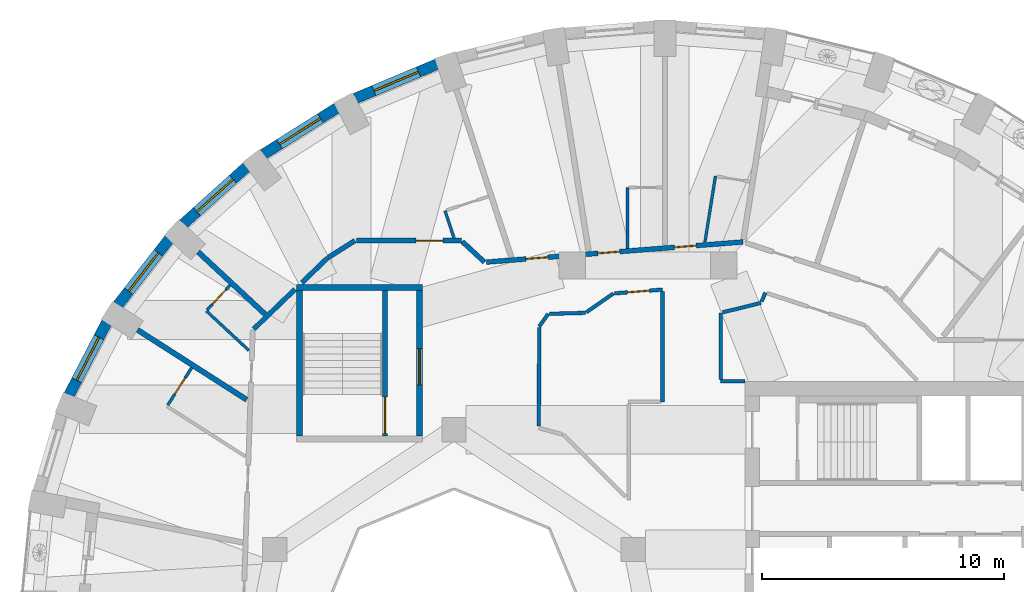
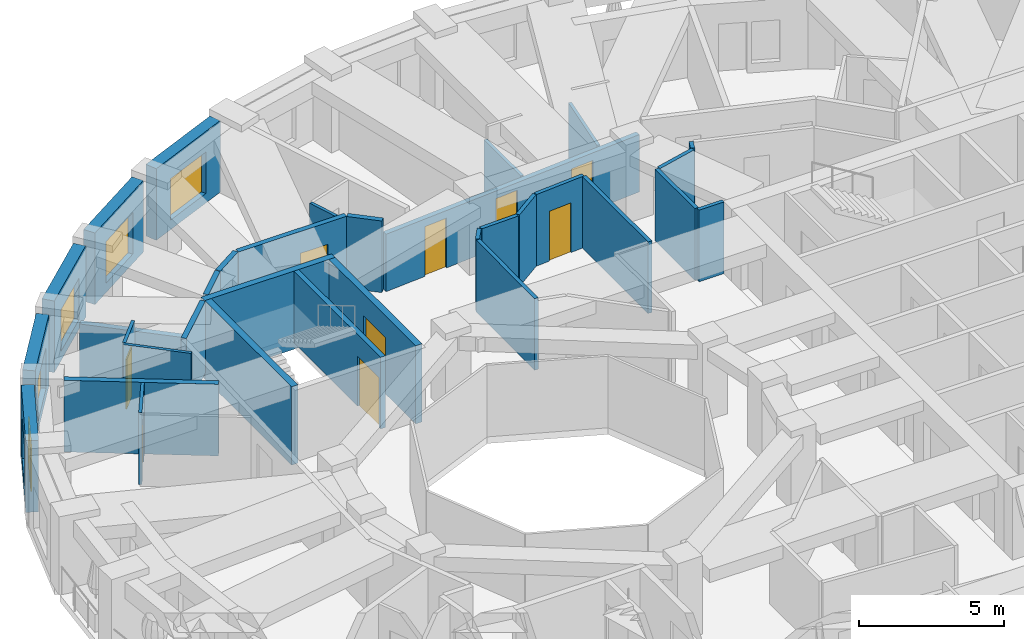
# One storey, part 7 of 12: 33 walls, 9 doors, 5 windows, 14 openings.
"""IFC4 building model written with IfcOpenShell, lengths in metres."""

from ifc_helpers import new_model, si_unit, direction, frame, frame_2d, origin, place, context, subcontext, project, spatial, rectangle, extrude, material, layer, layer_set, type_object, element, fill, save


model = new_model("IFC4")

# Units and contexts
model_context = context("Model", 3, precision=1e-05, world=origin(), true_north=direction((0.0, 1.0)))
body_context = subcontext(model_context, "Body", "Model", "MODEL_VIEW")
ifc_project = project(units=[si_unit("LENGTHUNIT", "METRE"), si_unit("AREAUNIT", "SQUARE_METRE"), si_unit("VOLUMEUNIT", "CUBIC_METRE"), si_unit("PLANEANGLEUNIT", "RADIAN"), si_unit("MASSUNIT", "GRAM", prefix="KILO")], contexts=[model_context])

# Site, building, storey
site_placement = place(None, origin())
site = spatial("IfcSite", under=ifc_project, at=site_placement, CompositionType="ELEMENT")
building_placement = place(site_placement, origin())
building = spatial("IfcBuilding", under=site, at=building_placement, Name="Taillehof Tower", CompositionType="ELEMENT")
storey_placement = place(building_placement, frame((0.0, 0.0, 195.800048828125)))
storey = spatial("IfcBuildingStorey", under=building, at=storey_placement, Name="L55", CompositionType="ELEMENT", Elevation=195.800048828125)

# Wall, opening, window
ifc_material_1 = material(Name="Brick masonry", Category="masonry")
ifc_layer_1 = layer(ifc_material_1, 0.449951171875)
ifc_layer_set_1 = layer_set([ifc_layer_1], Name="Brick infill wall 450")
wall_type_1 = type_object("IfcWallType", Name="Brick infill wall 450", PredefinedType="SOLIDWALL", material=ifc_layer_set_1)
wall_1_placement = place(storey_placement, frame((-8.70263671875, 23.0791015625, 0.0), z_axis=(0.0, 0.0, 1.0), x_axis=(-0.922168222612, -0.386789050006, 0.0)))
wall_1 = element("IfcWall", 1, at=wall_1_placement, inside=storey, type_object=wall_type_1, Name="Brick wall L55 bay 12", PredefinedType="SOLIDWALL", context=body_context, shape_type="SweptSolid", body=[
    extrude(rectangle(XDim=3.65087890625, YDim=0.449951171875, at=frame_2d((1.825439453125, 0.0))), origin(), (0.0, 0.0, 1.0), 3.02001953125),
])
opening_1_placement = place(wall_1_placement, frame((0.825439453125, 0.0, 0.39990234375)))
opening_1 = element("IfcOpeningElement", 2, at=opening_1_placement, cuts=wall_1, Name="Opening W2", PredefinedType="OPENING", context=body_context, shape_type="SweptSolid", body=[
    extrude(rectangle(XDim=2.0, YDim=1.75, at=frame_2d((1.0, 0.875))), frame((0.0, 0.23486328125, 0.0), z_axis=(0.0, -1.0, 0.0), x_axis=(1.0, 0.0, 0.0)), (0.0, 0.0, 1.0), 0.469970703125),
])
ifc_material_2 = material(Name="Aluminium window frame with clear double glazing", Category="aluminium")
window_type = type_object("IfcWindowType", Name="Deep-set window 2000x1750", PartitioningType="SINGLE_PANEL", PredefinedType="WINDOW", material=ifc_material_2)
window_1_placement = place(opening_1_placement, origin())
window_1 = element("IfcWindow", 3, at=window_1_placement, inside=storey, type_object=window_type, Name="W2", OverallHeight=1.75, OverallWidth=2.0, PartitioningType="SINGLE_PANEL", PredefinedType="WINDOW", context=body_context, shape_type="SweptSolid", body=[
    extrude(rectangle(XDim=2.0, YDim=1.75, at=frame_2d((1.0, 0.875))), frame((0.0, 0.034912109375, 0.0), z_axis=(0.0, -1.0, 0.0), x_axis=(1.0, 0.0, 0.0)), (0.0, 0.0, 1.0), 0.06005859375),
])
fill(opening_1, window_1)

wall_2_placement = place(storey_placement, frame((-12.832275390625, 21.27001953125, 0.0), z_axis=(0.0, 0.0, 1.0), x_axis=(-0.846138482752, -0.532963101918, 0.0)))
wall_2 = element("IfcWall", 4, at=wall_2_placement, inside=storey, type_object=wall_type_1, Name="Brick wall L55 bay 13", PredefinedType="SOLIDWALL", context=body_context, shape_type="SweptSolid", body=[
    extrude(rectangle(XDim=3.586669921875, YDim=0.449951171875, at=frame_2d((1.79345703125, 0.0))), origin(), (0.0, 0.0, 1.0), 3.02001953125),
])
opening_2_placement = place(wall_2_placement, frame((0.79345703125, 0.0, 0.39990234375)))
opening_2 = element("IfcOpeningElement", 5, at=opening_2_placement, cuts=wall_2, Name="Opening W2", PredefinedType="OPENING", context=body_context, shape_type="SweptSolid", body=[
    extrude(rectangle(XDim=2.0, YDim=1.75, at=frame_2d((1.0, 0.875))), frame((0.0, 0.23486328125, 0.0), z_axis=(0.0, -1.0, 0.0), x_axis=(1.0, 0.0, 0.0)), (0.0, 0.0, 1.0), 0.469970703125),
])
window_2_placement = place(opening_2_placement, origin())
window_2 = element("IfcWindow", 6, at=window_2_placement, inside=storey, type_object=window_type, Name="W2", OverallHeight=1.75, OverallWidth=2.0, PartitioningType="SINGLE_PANEL", PredefinedType="WINDOW", context=body_context, shape_type="SweptSolid", body=[
    extrude(rectangle(XDim=2.0, YDim=1.75, at=frame_2d((1.0, 0.875))), frame((0.0, 0.034912109375, 0.0), z_axis=(0.0, -1.0, 0.0), x_axis=(1.0, 0.0, 0.0)), (0.0, 0.0, 1.0), 0.06005859375),
])
fill(opening_2, window_2)

wall_3_placement = place(storey_placement, frame((-16.553466796875, 18.83984375, 0.0), z_axis=(0.0, 0.0, 1.0), x_axis=(-0.743442727602, -0.668799604348, 0.0)))
wall_3 = element("IfcWall", 7, at=wall_3_placement, inside=storey, type_object=wall_type_1, Name="Brick wall L55 bay 14", PredefinedType="SOLIDWALL", context=body_context, shape_type="SweptSolid", body=[
    extrude(rectangle(XDim=3.5126953125, YDim=0.449951171875, at=frame_2d((1.75634765625, 0.0))), origin(), (0.0, 0.0, 1.0), 3.02001953125),
])
opening_3_placement = place(wall_3_placement, frame((0.75634765625, 0.0, 0.39990234375)))
opening_3 = element("IfcOpeningElement", 8, at=opening_3_placement, cuts=wall_3, Name="Opening W2", PredefinedType="OPENING", context=body_context, shape_type="SweptSolid", body=[
    extrude(rectangle(XDim=2.0, YDim=1.75, at=frame_2d((1.0, 0.875))), frame((0.0, 0.23486328125, 0.0), z_axis=(0.0, -1.0, 0.0), x_axis=(1.0, 0.0, 0.0)), (0.0, 0.0, 1.0), 0.469970703125),
])
window_3_placement = place(opening_3_placement, origin())
window_3 = element("IfcWindow", 9, at=window_3_placement, inside=storey, type_object=window_type, Name="W2", OverallHeight=1.75, OverallWidth=2.0, PartitioningType="SINGLE_PANEL", PredefinedType="WINDOW", context=body_context, shape_type="SweptSolid", body=[
    extrude(rectangle(XDim=2.0, YDim=1.75, at=frame_2d((1.0, 0.875))), frame((0.0, 0.034912109375, 0.0), z_axis=(0.0, -1.0, 0.0), x_axis=(1.0, 0.0, 0.0)), (0.0, 0.0, 1.0), 0.06005859375),
])
fill(opening_3, window_3)

wall_4_placement = place(storey_placement, frame((-19.751220703125, 15.861083984375, 0.0), z_axis=(0.0, 0.0, 1.0), x_axis=(-0.614220816451, -0.789134201919, 0.0)))
wall_4 = element("IfcWall", 10, at=wall_4_placement, inside=storey, type_object=wall_type_1, Name="Brick wall L55 bay 15", PredefinedType="SOLIDWALL", context=body_context, shape_type="SweptSolid", body=[
    extrude(rectangle(XDim=3.437744140625, YDim=0.449951171875, at=frame_2d((1.71875, 0.0))), origin(), (0.0, 0.0, 1.0), 3.02001953125),
])
opening_4_placement = place(wall_4_placement, frame((0.71875, 0.0, 0.39990234375)))
opening_4 = element("IfcOpeningElement", 11, at=opening_4_placement, cuts=wall_4, Name="Opening W2", PredefinedType="OPENING", context=body_context, shape_type="SweptSolid", body=[
    extrude(rectangle(XDim=2.0, YDim=1.75, at=frame_2d((1.0, 0.875))), frame((0.0, 0.23486328125, 0.0), z_axis=(0.0, -1.0, 0.0), x_axis=(1.0, 0.0, 0.0)), (0.0, 0.0, 1.0), 0.469970703125),
])
window_4_placement = place(opening_4_placement, origin())
window_4 = element("IfcWindow", 12, at=window_4_placement, inside=storey, type_object=window_type, Name="W2", OverallHeight=1.75, OverallWidth=2.0, PartitioningType="SINGLE_PANEL", PredefinedType="WINDOW", context=body_context, shape_type="SweptSolid", body=[
    extrude(rectangle(XDim=2.0, YDim=1.75, at=frame_2d((1.0, 0.875))), frame((0.0, 0.034912109375, 0.0), z_axis=(0.0, -1.0, 0.0), x_axis=(1.0, 0.0, 0.0)), (0.0, 0.0, 1.0), 0.06005859375),
])
fill(opening_4, window_4)

wall_5_placement = place(storey_placement, frame((-22.326904296875, 12.424072265625, 0.0), z_axis=(0.0, 0.0, 1.0), x_axis=(-0.460232593174, -0.887798378113, 0.0)))
wall_5 = element("IfcWall", 13, at=wall_5_placement, inside=storey, type_object=wall_type_1, Name="Brick wall L55 bay 16", PredefinedType="SOLIDWALL", context=body_context, shape_type="SweptSolid", body=[
    extrude(rectangle(XDim=3.37060546875, YDim=0.449951171875, at=frame_2d((1.685302734375, 0.0))), origin(), (0.0, 0.0, 1.0), 3.02001953125),
])
opening_5_placement = place(wall_5_placement, frame((0.685302734375, 0.0, 0.39990234375)))
opening_5 = element("IfcOpeningElement", 14, at=opening_5_placement, cuts=wall_5, Name="Opening W2", PredefinedType="OPENING", context=body_context, shape_type="SweptSolid", body=[
    extrude(rectangle(XDim=2.0, YDim=1.75, at=frame_2d((1.0, 0.875))), frame((0.0, 0.23486328125, 0.0), z_axis=(0.0, -1.0, 0.0), x_axis=(1.0, 0.0, 0.0)), (0.0, 0.0, 1.0), 0.469970703125),
])
window_5_placement = place(opening_5_placement, origin())
window_5 = element("IfcWindow", 15, at=window_5_placement, inside=storey, type_object=window_type, Name="W2", OverallHeight=1.75, OverallWidth=2.0, PartitioningType="SINGLE_PANEL", PredefinedType="WINDOW", context=body_context, shape_type="SweptSolid", body=[
    extrude(rectangle(XDim=2.0, YDim=1.75, at=frame_2d((1.0, 0.875))), frame((0.0, 0.034912109375, 0.0), z_axis=(0.0, -1.0, 0.0), x_axis=(1.0, 0.0, 0.0)), (0.0, 0.0, 1.0), 0.06005859375),
])
fill(opening_5, window_5)

# Walls
ifc_material_3 = material(Name="Gypsum board on steel studs, two layers each side", Category="steel")
ifc_layer_2 = layer(ifc_material_3, 0.199951171875)
ifc_layer_set_2 = layer_set([ifc_layer_2], Name="Compartment wall corridor 200")
wall_type_2 = type_object("IfcWallType", Name="Compartment wall corridor 200", PredefinedType="PARTITIONING", material=ifc_layer_set_2)
wall_6_placement = place(storey_placement, frame((-16.2568359375, 12.15673828125, 0.0), z_axis=(0.0, 0.0, 1.0), x_axis=(0.720356671174, 0.693603825174, 0.0)))
element("IfcWall", 16, at=wall_6_placement, inside=storey, type_object=wall_type_2, Name="Compartment wall", PredefinedType="PARTITIONING", context=body_context, shape_type="SweptSolid", body=[
    extrude(rectangle(XDim=2.3544921875, YDim=0.199951171875, at=frame_2d((1.17724609375, 0.0))), origin(), (0.0, 0.0, 1.0), 3.02001953125),
])
wall_7_placement = place(storey_placement, frame((-14.27783203125, 14.062255859375, 0.0), z_axis=(0.0, 0.0, 1.0), x_axis=(0.720213092954, 0.693752910435, 0.0)))
element("IfcWall", 17, at=wall_7_placement, inside=storey, type_object=wall_type_2, Name="Compartment wall", PredefinedType="PARTITIONING", context=body_context, shape_type="SweptSolid", body=[
    extrude(rectangle(XDim=1.476318359375, YDim=0.199951171875, at=frame_2d((0.73828125, 0.0))), origin(), (0.0, 0.0, 1.0), 3.02001953125),
])
wall_8_placement = place(storey_placement, frame((-13.19775390625, 15.09716796875, 0.0), z_axis=(0.0, 0.0, 1.0), x_axis=(0.845466863805, 0.534027885234, 0.0)))
element("IfcWall", 18, at=wall_8_placement, inside=storey, type_object=wall_type_2, Name="Compartment wall", PredefinedType="PARTITIONING", context=body_context, shape_type="SweptSolid", body=[
    extrude(rectangle(XDim=1.316162109375, YDim=0.199951171875, at=frame_2d((0.658203125, 0.0))), origin(), (0.0, 0.0, 1.0), 3.02001953125),
])

# Wall, opening, door
wall_9_placement = place(storey_placement, frame((-12.02490234375, 15.800048828125, 0.0), z_axis=(0.0, 0.0, 1.0), x_axis=(1.0, 0.0, 0.0)))
wall_9 = element("IfcWall", 19, at=wall_9_placement, inside=storey, type_object=wall_type_2, Name="Compartment wall", PredefinedType="PARTITIONING", context=body_context, shape_type="SweptSolid", body=[
    extrude(rectangle(XDim=4.324951171875, YDim=0.199951171875, at=frame_2d((2.16259765625, 0.0))), origin(), (0.0, 0.0, 1.0), 3.02001953125),
])
opening_6_placement = place(wall_9_placement, frame((2.46142578125, 0.0, 0.0)))
opening_6 = element("IfcOpeningElement", 20, at=opening_6_placement, cuts=wall_9, Name="Opening D5548", PredefinedType="OPENING", context=body_context, shape_type="SweptSolid", body=[
    extrude(rectangle(XDim=1.10009765625, YDim=2.10009765625, at=frame_2d((0.550048828125, 1.050048828125))), frame((0.0, 0.10986328125, 0.0), z_axis=(0.0, -1.0, 0.0), x_axis=(1.0, 0.0, 0.0)), (0.0, 0.0, 1.0), 0.219970703125),
])
ifc_material_4 = material(Name="Timber door leaf in steel frame", Category="steel")
door_type_1 = type_object("IfcDoorType", Name="Suite entrance door EI 30 1100 x 2100", OperationType="SINGLE_SWING_LEFT", PredefinedType="DOOR", material=ifc_material_4)
door_1_placement = place(opening_6_placement, origin())
door_1 = element("IfcDoor", 21, at=door_1_placement, inside=storey, type_object=door_type_1, Name="D5548", OperationType="SINGLE_SWING_RIGHT", OverallHeight=2.10009765625, OverallWidth=1.10009765625, PredefinedType="DOOR", context=body_context, shape_type="SweptSolid", body=[
    extrude(rectangle(XDim=1.10009765625, YDim=2.10009765625, at=frame_2d((0.550048828125, 1.050048828125))), frame((0.0, 0.02490234375, 0.0), z_axis=(0.0, -1.0, 0.0), x_axis=(1.0, 0.0, 0.0)), (0.0, 0.0, 1.0), 0.050048828125),
])
fill(opening_6, door_1)

# Wall
wall_10_placement = place(storey_placement, frame((-7.656005859375, 15.759033203125, 0.0), z_axis=(0.0, 0.0, 1.0), x_axis=(0.734444455547, -0.678668801196, 0.0)))
element("IfcWall", 22, at=wall_10_placement, inside=storey, type_object=wall_type_2, Name="Compartment wall", PredefinedType="PARTITIONING", context=body_context, shape_type="SweptSolid", body=[
    extrude(rectangle(XDim=1.251953125, YDim=0.199951171875, at=frame_2d((0.6259765625, 0.0))), origin(), (0.0, 0.0, 1.0), 3.02001953125),
])

# Wall, openings, doors
wall_11_placement = place(storey_placement, frame((-6.656494140625, 14.915283203125, 0.0), z_axis=(0.0, 0.0, 1.0), x_axis=(0.99693112817, 0.07828362335, 0.0)))
wall_11 = element("IfcWall", 23, at=wall_11_placement, inside=storey, type_object=wall_type_2, Name="Compartment wall", PredefinedType="PARTITIONING", context=body_context, shape_type="SweptSolid", body=[
    extrude(rectangle(XDim=10.609619140625, YDim=0.199951171875, at=frame_2d((5.3046875, 0.0))), origin(), (0.0, 0.0, 1.0), 2.419921875),
])
opening_7_placement = place(wall_11_placement, frame((7.773193359375, 0.0, 0.0)))
opening_7 = element("IfcOpeningElement", 24, at=opening_7_placement, cuts=wall_11, Name="Opening D5543", PredefinedType="OPENING", context=body_context, shape_type="SweptSolid", body=[
    extrude(rectangle(XDim=0.89990234375, YDim=2.10009765625, at=frame_2d((0.449951171875, 1.050048828125))), frame((0.0, 0.10986328125, 0.0), z_axis=(0.0, -1.0, 0.0), x_axis=(1.0, 0.0, 0.0)), (0.0, 0.0, 1.0), 0.219970703125),
])
opening_8_placement = place(wall_11_placement, frame((4.607666015625, 0.0, 0.0)))
opening_8 = element("IfcOpeningElement", 25, at=opening_8_placement, cuts=wall_11, Name="Opening D5545", PredefinedType="OPENING", context=body_context, shape_type="SweptSolid", body=[
    extrude(rectangle(XDim=0.89990234375, YDim=2.10009765625, at=frame_2d((0.449951171875, 1.050048828125))), frame((0.0, 0.10986328125, 0.0), z_axis=(0.0, -1.0, 0.0), x_axis=(1.0, 0.0, 0.0)), (0.0, 0.0, 1.0), 0.219970703125),
])
opening_9_placement = place(wall_11_placement, frame((1.6318359375, 0.0, 0.0)))
opening_9 = element("IfcOpeningElement", 26, at=opening_9_placement, cuts=wall_11, Name="Opening D5547", PredefinedType="OPENING", context=body_context, shape_type="SweptSolid", body=[
    extrude(rectangle(XDim=0.89990234375, YDim=2.10009765625, at=frame_2d((0.449951171875, 1.050048828125))), frame((0.0, 0.10986328125, 0.0), z_axis=(0.0, -1.0, 0.0), x_axis=(1.0, 0.0, 0.0)), (0.0, 0.0, 1.0), 0.219970703125),
])
ifc_material_5 = material(Name="Timber door leaf in steel frame", Category="steel")
door_type_2 = type_object("IfcDoorType", Name="Guest room door EI 30 900 x 2100", OperationType="SINGLE_SWING_LEFT", PredefinedType="DOOR", material=ifc_material_5)
door_2_placement = place(opening_7_placement, origin())
door_2 = element("IfcDoor", 27, at=door_2_placement, inside=storey, type_object=door_type_2, Name="D5543", OperationType="SINGLE_SWING_RIGHT", OverallHeight=2.10009765625, OverallWidth=0.89990234375, PredefinedType="DOOR", context=body_context, shape_type="SweptSolid", body=[
    extrude(rectangle(XDim=0.89990234375, YDim=2.10009765625, at=frame_2d((0.449951171875, 1.050048828125))), frame((0.0, 0.02490234375, 0.0), z_axis=(0.0, -1.0, 0.0), x_axis=(1.0, 0.0, 0.0)), (0.0, 0.0, 1.0), 0.050048828125),
])
fill(opening_7, door_2)
door_3_placement = place(opening_8_placement, origin())
door_3 = element("IfcDoor", 28, at=door_3_placement, inside=storey, type_object=door_type_2, Name="D5545", OperationType="SINGLE_SWING_RIGHT", OverallHeight=2.10009765625, OverallWidth=0.89990234375, PredefinedType="DOOR", context=body_context, shape_type="SweptSolid", body=[
    extrude(rectangle(XDim=0.89990234375, YDim=2.10009765625, at=frame_2d((0.449951171875, 1.050048828125))), frame((0.0, 0.02490234375, 0.0), z_axis=(0.0, -1.0, 0.0), x_axis=(1.0, 0.0, 0.0)), (0.0, 0.0, 1.0), 0.050048828125),
])
fill(opening_8, door_3)
ifc_material_6 = material(Name="Timber door leaf in steel frame", Category="steel")
door_type_3 = type_object("IfcDoorType", Name="Service room door EI 30 900 x 2100", OperationType="SINGLE_SWING_LEFT", PredefinedType="DOOR", material=ifc_material_6)
door_4_placement = place(opening_9_placement, origin())
door_4 = element("IfcDoor", 29, at=door_4_placement, inside=storey, type_object=door_type_3, Name="D5547", OperationType="SINGLE_SWING_LEFT", OverallHeight=2.10009765625, OverallWidth=0.89990234375, PredefinedType="DOOR", context=body_context, shape_type="SweptSolid", body=[
    extrude(rectangle(XDim=0.89990234375, YDim=2.10009765625, at=frame_2d((0.449951171875, 1.050048828125))), frame((0.0, 0.02490234375, 0.0), z_axis=(0.0, -1.0, 0.0), x_axis=(1.0, 0.0, 0.0)), (0.0, 0.0, 1.0), 0.050048828125),
])
fill(opening_9, door_4)

# Walls
ifc_material_7 = material(Name="Gypsum board on double steel studs with mineral wool", Category="steel")
ifc_layer_3 = layer(ifc_material_7, 0.219970703125)
ifc_layer_set_3 = layer_set([ifc_layer_3], Name="Compartment wall guest room 220")
wall_type_3 = type_object("IfcWallType", Name="Compartment wall guest room 220", PredefinedType="PARTITIONING", material=ifc_layer_set_3)
wall_12_placement = place(storey_placement, frame((-18.552978515625, 15.333984375, 0.0), z_axis=(0.0, 0.0, 1.0), x_axis=(0.732303975018, -0.680977891105, 0.0)))
element("IfcWall", 30, at=wall_12_placement, inside=storey, type_object=wall_type_3, Name="Compartment wall", PredefinedType="PARTITIONING", context=body_context, shape_type="SweptSolid", body=[
    extrude(rectangle(XDim=3.767333984375, YDim=0.219970703125, at=frame_2d((1.8837890625, 0.0))), origin(), (0.0, 0.0, 1.0), 2.570068359375),
])
wall_13_placement = place(storey_placement, frame((-21.054931640625, 12.120849609375, 0.0), z_axis=(0.0, 0.0, 1.0), x_axis=(0.842281345898, -0.539038156675, 0.0)))
element("IfcWall", 31, at=wall_13_placement, inside=storey, type_object=wall_type_3, Name="Compartment wall", PredefinedType="PARTITIONING", context=body_context, shape_type="SweptSolid", body=[
    extrude(rectangle(XDim=5.349853515625, YDim=0.219970703125, at=frame_2d((2.6748046875, 0.0))), origin(), (0.0, 0.0, 1.0), 3.02001953125),
])
ifc_material_8 = material(Name="Gypsum board on steel studs, two layers each side", Category="steel")
ifc_layer_4 = layer(ifc_material_8, 0.14990234375)
ifc_layer_set_4 = layer_set([ifc_layer_4], Name="Compartment wall service room 150")
wall_type_4 = type_object("IfcWallType", Name="Compartment wall service room 150", PredefinedType="PARTITIONING", material=ifc_layer_set_4)
wall_14_placement = place(storey_placement, frame((4.0009765625, 10.0, 0.0), z_axis=(0.0, 0.0, 1.0), x_axis=(-1.0, 0.0, 0.0)))
element("IfcWall", 32, at=wall_14_placement, inside=storey, type_object=wall_type_4, Name="Compartment wall", PredefinedType="PARTITIONING", context=body_context, shape_type="SweptSolid", body=[
    extrude(rectangle(XDim=1.0009765625, YDim=0.14990234375, at=frame_2d((0.50048828125, 0.0))), origin(), (0.0, 0.0, 1.0), 3.02001953125),
])
wall_15_placement = place(storey_placement, frame((3.0, 10.080078125, 0.0), z_axis=(0.0, 0.0, 1.0), x_axis=(0.0, 1.0, 0.0)))
element("IfcWall", 33, at=wall_15_placement, inside=storey, type_object=wall_type_4, Name="Compartment wall", PredefinedType="PARTITIONING", context=body_context, shape_type="SweptSolid", body=[
    extrude(rectangle(XDim=2.741943359375, YDim=0.14990234375, at=frame_2d((1.37109375, 0.0))), origin(), (0.0, 0.0, 1.0), 3.02001953125),
])
wall_16_placement = place(storey_placement, frame((3.078125, 12.841552734375, 0.0), z_axis=(0.0, 0.0, 1.0), x_axis=(0.9710404657, 0.238915076906, 0.0)))
element("IfcWall", 34, at=wall_16_placement, inside=storey, type_object=wall_type_4, Name="Compartment wall", PredefinedType="PARTITIONING", context=body_context, shape_type="SweptSolid", body=[
    extrude(rectangle(XDim=1.635009765625, YDim=0.14990234375, at=frame_2d((0.8173828125, 0.0))), origin(), (0.0, 0.0, 1.0), 3.02001953125),
])
wall_17_placement = place(storey_placement, frame((4.6884765625, 13.287841796875, 0.0), z_axis=(0.0, 0.0, 1.0), x_axis=(0.38330857492, 0.923620342128, 0.0)))
element("IfcWall", 35, at=wall_17_placement, inside=storey, type_object=wall_type_4, Name="Compartment wall", PredefinedType="PARTITIONING", context=body_context, shape_type="SweptSolid", body=[
    extrude(rectangle(XDim=0.398193359375, YDim=0.14990234375, at=frame_2d((0.19921875, 0.0))), origin(), (0.0, 0.0, 1.0), 3.02001953125),
])
wall_18_placement = place(storey_placement, frame((-4.487060546875, 12.257568359375, 0.0), z_axis=(0.0, 0.0, 1.0), x_axis=(0.582280364551, 0.812988054684, 0.0)))
element("IfcWall", 36, at=wall_18_placement, inside=storey, type_object=wall_type_4, Name="Compartment wall", PredefinedType="PARTITIONING", context=body_context, shape_type="SweptSolid", body=[
    extrude(rectangle(XDim=0.642333984375, YDim=0.14990234375, at=frame_2d((0.3212890625, 0.0))), origin(), (0.0, 0.0, 1.0), 3.02001953125),
])
wall_19_placement = place(storey_placement, frame((-4.052978515625, 12.78125, 0.0), z_axis=(0.0, 0.0, 1.0), x_axis=(0.999619372091, 0.027588239157, 0.0)))
element("IfcWall", 37, at=wall_19_placement, inside=storey, type_object=wall_type_4, Name="Compartment wall", PredefinedType="PARTITIONING", context=body_context, shape_type="SweptSolid", body=[
    extrude(rectangle(XDim=1.477783203125, YDim=0.14990234375, at=frame_2d((0.73876953125, 0.0))), origin(), (0.0, 0.0, 1.0), 3.02001953125),
])
wall_20_placement = place(storey_placement, frame((-2.54296875, 12.844970703125, 0.0), z_axis=(0.0, 0.0, 1.0), x_axis=(0.821558970312, 0.570123546523, 0.0)))
element("IfcWall", 38, at=wall_20_placement, inside=storey, type_object=wall_type_4, Name="Compartment wall", PredefinedType="PARTITIONING", context=body_context, shape_type="SweptSolid", body=[
    extrude(rectangle(XDim=1.361328125, YDim=0.14990234375, at=frame_2d((0.6806640625, 0.0))), origin(), (0.0, 0.0, 1.0), 3.02001953125),
])

# Wall, opening, door
wall_21_placement = place(storey_placement, frame((-1.384521484375, 13.6240234375, 0.0), z_axis=(0.0, 0.0, 1.0), x_axis=(0.996924678821, 0.078365711621, 0.0)))
wall_21 = element("IfcWall", 39, at=wall_21_placement, inside=storey, type_object=wall_type_4, Name="Compartment wall", PredefinedType="PARTITIONING", context=body_context, shape_type="SweptSolid", body=[
    extrude(rectangle(XDim=1.99072265625, YDim=0.14990234375, at=frame_2d((0.995361328125, 0.0))), origin(), (0.0, 0.0, 1.0), 3.02001953125),
])
opening_10_placement = place(wall_21_placement, frame((0.54541015625, 0.0, 0.0)))
opening_10 = element("IfcOpeningElement", 40, at=opening_10_placement, cuts=wall_21, Name="Opening D5572", PredefinedType="OPENING", context=body_context, shape_type="SweptSolid", body=[
    extrude(rectangle(XDim=0.89990234375, YDim=2.10009765625, at=frame_2d((0.449951171875, 1.050048828125))), frame((0.0, 0.0849609375, 0.0), z_axis=(0.0, -1.0, 0.0), x_axis=(1.0, 0.0, 0.0)), (0.0, 0.0, 1.0), 0.169921875),
])
door_5_placement = place(opening_10_placement, origin())
door_5 = element("IfcDoor", 41, at=door_5_placement, inside=storey, type_object=door_type_3, Name="D5572", OperationType="SINGLE_SWING_RIGHT", OverallHeight=2.10009765625, OverallWidth=0.89990234375, PredefinedType="DOOR", context=body_context, shape_type="SweptSolid", body=[
    extrude(rectangle(XDim=0.89990234375, YDim=2.10009765625, at=frame_2d((0.449951171875, 1.050048828125))), frame((0.0, 0.02490234375, 0.0), z_axis=(0.0, -1.0, 0.0), x_axis=(1.0, 0.0, 0.0)), (0.0, 0.0, 1.0), 0.050048828125),
])
fill(opening_10, door_5)

# Walls
wall_22_placement = place(storey_placement, frame((0.60009765625, 13.699951171875, 0.0), z_axis=(0.0, 0.0, 1.0), x_axis=(0.0, -1.0, 0.0)))
element("IfcWall", 42, at=wall_22_placement, inside=storey, type_object=wall_type_4, Name="Compartment wall", PredefinedType="PARTITIONING", context=body_context, shape_type="SweptSolid", body=[
    extrude(rectangle(XDim=4.550048828125, YDim=0.14990234375, at=frame_2d((2.27490234375, 0.0))), origin(), (0.0, 0.0, 1.0), 3.02001953125),
])
wall_23_placement = place(storey_placement, frame((-4.5, 8.149169921875, 0.0), z_axis=(0.0, 0.0, 1.0), x_axis=(0.003180492795, 0.99999494222, 0.0)))
element("IfcWall", 43, at=wall_23_placement, inside=storey, type_object=wall_type_4, Name="Compartment wall", PredefinedType="PARTITIONING", context=body_context, shape_type="SweptSolid", body=[
    extrude(rectangle(XDim=4.068359375, YDim=0.14990234375, at=frame_2d((2.0341796875, 0.0))), origin(), (0.0, 0.0, 1.0), 3.02001953125),
])
ifc_material_9 = material(Name="Gypsum board on steel studs, moisture resistant", Category="steel")
ifc_layer_5 = layer(ifc_material_9, 0.1201171875)
ifc_layer_set_5 = layer_set([ifc_layer_5], Name="En-suite wall 120")
wall_type_5 = type_object("IfcWallType", Name="En-suite wall 120", PredefinedType="PARTITIONING", material=ifc_layer_set_5)
wall_24_placement = place(storey_placement, frame((2.3505859375, 15.742431640625, 0.0), z_axis=(0.0, 0.0, 1.0), x_axis=(0.15712488734, 0.987578741052, 0.0)))
element("IfcWall", 44, at=wall_24_placement, inside=storey, type_object=wall_type_5, Name="En-suite wall", PredefinedType="PARTITIONING", context=body_context, shape_type="SweptSolid", body=[
    extrude(rectangle(XDim=2.750244140625, YDim=0.1201171875, at=frame_2d((1.375, 0.0))), origin(), (0.0, 0.0, 1.0), 2.469970703125),
])
wall_25_placement = place(storey_placement, frame((-0.85009765625, 15.4716796875, 0.0), z_axis=(0.0, 0.0, 1.0), x_axis=(0.0, 1.0, 0.0)))
element("IfcWall", 45, at=wall_25_placement, inside=storey, type_object=wall_type_5, Name="En-suite wall", PredefinedType="PARTITIONING", context=body_context, shape_type="SweptSolid", body=[
    extrude(rectangle(XDim=2.521484375, YDim=0.1201171875, at=frame_2d((1.2607421875, 0.0))), origin(), (0.0, 0.0, 1.0), 2.469970703125),
])
wall_26_placement = place(storey_placement, frame((-8.00390625, 15.919189453125, 0.0), z_axis=(0.0, 0.0, 1.0), x_axis=(-0.31198444573, 0.950087209483, 0.0)))
element("IfcWall", 46, at=wall_26_placement, inside=storey, type_object=wall_type_5, Name="En-suite wall", PredefinedType="PARTITIONING", context=body_context, shape_type="SweptSolid", body=[
    extrude(rectangle(XDim=1.174560546875, YDim=0.1201171875, at=frame_2d((0.58740234375, 0.0))), origin(), (0.0, 0.0, 1.0), 3.02001953125),
])
wall_27_placement = place(storey_placement, frame((-16.458740234375, 11.269775390625, 0.0), z_axis=(0.0, 0.0, 1.0), x_axis=(-0.732311710068, 0.68096957296, 0.0)))
element("IfcWall", 47, at=wall_27_placement, inside=storey, type_object=wall_type_5, Name="En-suite wall", PredefinedType="PARTITIONING", context=body_context, shape_type="SweptSolid", body=[
    extrude(rectangle(XDim=2.4013671875, YDim=0.1201171875, at=frame_2d((1.20068359375, 0.0))), origin(), (0.0, 0.0, 1.0), 3.02001953125),
])

# Wall, opening, door
wall_28_placement = place(storey_placement, frame((-18.176513671875, 12.948974609375, 0.0), z_axis=(0.0, 0.0, 1.0), x_axis=(0.681081886823, 0.732207254431, 0.0)))
wall_28 = element("IfcWall", 48, at=wall_28_placement, inside=storey, type_object=wall_type_5, Name="En-suite wall", PredefinedType="PARTITIONING", context=body_context, shape_type="SweptSolid", body=[
    extrude(rectangle(XDim=1.380126953125, YDim=0.1201171875, at=frame_2d((0.68994140625, 0.0))), origin(), (0.0, 0.0, 1.0), 3.02001953125),
])
opening_11_placement = place(wall_28_placement, frame((0.315185546875, 0.0, 0.0)))
opening_11 = element("IfcOpeningElement", 49, at=opening_11_placement, cuts=wall_28, Name="Opening D5551", PredefinedType="OPENING", context=body_context, shape_type="SweptSolid", body=[
    extrude(rectangle(XDim=0.800048828125, YDim=2.10009765625, at=frame_2d((0.39990234375, 1.050048828125))), frame((0.0, 0.070068359375, 0.0), z_axis=(0.0, -1.0, 0.0), x_axis=(1.0, 0.0, 0.0)), (0.0, 0.0, 1.0), 0.14013671875),
])
ifc_material_10 = material(Name="Timber door leaf in steel frame", Category="steel")
door_type_4 = type_object("IfcDoorType", Name="En-suite door 800 x 2100", OperationType="SINGLE_SWING_LEFT", PredefinedType="DOOR", material=ifc_material_10)
door_6_placement = place(opening_11_placement, origin())
door_6 = element("IfcDoor", 50, at=door_6_placement, inside=storey, type_object=door_type_4, Name="D5551", OperationType="SINGLE_SWING_RIGHT", OverallHeight=2.10009765625, OverallWidth=0.800048828125, PredefinedType="DOOR", context=body_context, shape_type="SweptSolid", body=[
    extrude(rectangle(XDim=0.800048828125, YDim=2.10009765625, at=frame_2d((0.39990234375, 1.050048828125))), frame((0.0, 0.02490234375, 0.0), z_axis=(0.0, -1.0, 0.0), x_axis=(1.0, 0.0, 0.0)), (0.0, 0.0, 1.0), 0.050048828125),
])
fill(opening_11, door_6)

wall_29_placement = place(storey_placement, frame((-19.804443359375, 9.017333984375, 0.0), z_axis=(0.0, 0.0, 1.0), x_axis=(0.538962837458, 0.842329543492, 0.0)))
wall_29 = element("IfcWall", 51, at=wall_29_placement, inside=storey, type_object=wall_type_5, Name="En-suite wall", PredefinedType="PARTITIONING", context=body_context, shape_type="SweptSolid", body=[
    extrude(rectangle(XDim=1.830078125, YDim=0.1201171875, at=frame_2d((0.9150390625, 0.0))), origin(), (0.0, 0.0, 1.0), 3.02001953125),
])
opening_12_placement = place(wall_29_placement, frame((0.5400390625, 0.0, 0.0)))
opening_12 = element("IfcOpeningElement", 52, at=opening_12_placement, cuts=wall_29, Name="Opening D5553", PredefinedType="OPENING", context=body_context, shape_type="SweptSolid", body=[
    extrude(rectangle(XDim=0.800048828125, YDim=2.10009765625, at=frame_2d((0.39990234375, 1.050048828125))), frame((0.0, 0.070068359375, 0.0), z_axis=(0.0, -1.0, 0.0), x_axis=(1.0, 0.0, 0.0)), (0.0, 0.0, 1.0), 0.14013671875),
])
door_7_placement = place(opening_12_placement, origin())
door_7 = element("IfcDoor", 53, at=door_7_placement, inside=storey, type_object=door_type_4, Name="D5553", OperationType="SINGLE_SWING_RIGHT", OverallHeight=2.10009765625, OverallWidth=0.800048828125, PredefinedType="DOOR", context=body_context, shape_type="SweptSolid", body=[
    extrude(rectangle(XDim=0.800048828125, YDim=2.10009765625, at=frame_2d((0.39990234375, 1.050048828125))), frame((0.0, 0.02490234375, 0.0), z_axis=(0.0, -1.0, 0.0), x_axis=(1.0, 0.0, 0.0)), (0.0, 0.0, 1.0), 0.050048828125),
])
fill(opening_12, door_7)

ifc_material_11 = material(Name="Concrete C50/60", Category="concrete")
ifc_layer_6 = layer(ifc_material_11, 0.199951171875)
ifc_layer_set_6 = layer_set([ifc_layer_6], Name="Shaft wall C50/60 200")
wall_type_6 = type_object("IfcWallType", Name="Shaft wall C50/60 200", PredefinedType="SHEAR", material=ifc_layer_set_6)
wall_30_placement = place(storey_placement, frame((-10.85009765625, 7.75, 0.0), z_axis=(0.0, 0.0, 1.0), x_axis=(0.0, 1.0, 0.0)))
wall_30 = element("IfcWall", 54, at=wall_30_placement, inside=storey, type_object=wall_type_6, Name="Shaft wall SW", PredefinedType="SHEAR", context=body_context, shape_type="SweptSolid", body=[
    extrude(rectangle(XDim=6.0, YDim=0.199951171875, at=frame_2d((3.0, 0.0))), origin(), (0.0, 0.0, 1.0), 3.02001953125),
])
opening_13_placement = place(wall_30_placement, frame((0.10009765625, 0.0, 0.0)))
opening_13 = element("IfcOpeningElement", 55, at=opening_13_placement, cuts=wall_30, Name="Opening D5512", PredefinedType="OPENING", context=body_context, shape_type="SweptSolid", body=[
    extrude(rectangle(XDim=1.5, YDim=2.10009765625, at=frame_2d((0.75, 1.050048828125))), frame((0.0, 0.10986328125, 0.0), z_axis=(0.0, -1.0, 0.0), x_axis=(1.0, 0.0, 0.0)), (0.0, 0.0, 1.0), 0.219970703125),
])
ifc_material_12 = material(Name="Steel-faced fire door", Category="steel")
door_type_5 = type_object("IfcDoorType", Name="Stair door 1500x2100", OperationType="DOUBLE_DOOR_SINGLE_SWING", PredefinedType="DOOR", material=ifc_material_12)
door_8_placement = place(opening_13_placement, origin())
door_8 = element("IfcDoor", 56, at=door_8_placement, inside=storey, type_object=door_type_5, Name="Stair lobby door S3", OperationType="DOUBLE_DOOR_SINGLE_SWING", OverallHeight=2.10009765625, OverallWidth=1.5, PredefinedType="DOOR", context=body_context, shape_type="SweptSolid", body=[
    extrude(rectangle(XDim=1.5, YDim=2.10009765625, at=frame_2d((0.75, 1.050048828125))), frame((0.0, 0.02490234375, 0.0), z_axis=(0.0, -1.0, 0.0), x_axis=(1.0, 0.0, 0.0)), (0.0, 0.0, 1.0), 0.050048828125),
])
fill(opening_13, door_8)

# Wall
ifc_material_13 = material(Name="Concrete C50/60", Category="concrete")
ifc_layer_7 = layer(ifc_material_13, 0.25)
ifc_layer_set_7 = layer_set([ifc_layer_7], Name="Stair wall C50/60 250")
wall_type_7 = type_object("IfcWallType", Name="Stair wall C50/60 250", PredefinedType="SHEAR", material=ifc_layer_set_7)
wall_31_placement = place(storey_placement, frame((-14.375, 7.75, -0.280029296875), z_axis=(0.0, 0.0, 1.0), x_axis=(0.0, 1.0, 0.0)))
element("IfcWall", 57, at=wall_31_placement, inside=storey, type_object=wall_type_7, Name="Stair wall SC", PredefinedType="SHEAR", context=body_context, shape_type="SweptSolid", body=[
    extrude(rectangle(XDim=6.0, YDim=0.25, at=frame_2d((3.0, 0.0))), origin(), (0.0, 0.0, 1.0), 3.300048828125),
])

# Wall, opening, door
wall_32_placement = place(storey_placement, frame((-9.425048828125, 7.75, -0.280029296875), z_axis=(0.0, 0.0, 1.0), x_axis=(0.0, 1.0, 0.0)))
wall_32 = element("IfcWall", 58, at=wall_32_placement, inside=storey, type_object=wall_type_7, Name="Stair wall SC", PredefinedType="SHEAR", context=body_context, shape_type="SweptSolid", body=[
    extrude(rectangle(XDim=6.0, YDim=0.25, at=frame_2d((3.0, 0.0))), origin(), (0.0, 0.0, 1.0), 3.300048828125),
])
opening_14_placement = place(wall_32_placement, frame((2.10009765625, 0.0, 0.280029296875)))
opening_14 = element("IfcOpeningElement", 59, at=opening_14_placement, cuts=wall_32, Name="Opening D5515", PredefinedType="OPENING", context=body_context, shape_type="SweptSolid", body=[
    extrude(rectangle(XDim=1.5, YDim=2.10009765625, at=frame_2d((0.75, 1.050048828125))), frame((0.0, 0.135009765625, 0.0), z_axis=(0.0, -1.0, 0.0), x_axis=(1.0, 0.0, 0.0)), (0.0, 0.0, 1.0), 0.27001953125),
])
door_9_placement = place(opening_14_placement, origin())
door_9 = element("IfcDoor", 60, at=door_9_placement, inside=storey, type_object=door_type_5, Name="Stair door S3", OperationType="DOUBLE_DOOR_SINGLE_SWING", OverallHeight=2.10009765625, OverallWidth=1.5, PredefinedType="DOOR", context=body_context, shape_type="SweptSolid", body=[
    extrude(rectangle(XDim=1.5, YDim=2.10009765625, at=frame_2d((0.75, 1.050048828125))), frame((0.0, 0.02490234375, 0.0), z_axis=(0.0, -1.0, 0.0), x_axis=(1.0, 0.0, 0.0)), (0.0, 0.0, 1.0), 0.050048828125),
])
fill(opening_14, door_9)

# Wall
wall_33_placement = place(storey_placement, frame((-14.5, 13.875, -0.280029296875), z_axis=(0.0, 0.0, 1.0), x_axis=(1.0, 0.0, 0.0)))
element("IfcWall", 61, at=wall_33_placement, inside=storey, type_object=wall_type_7, Name="Stair wall SC", PredefinedType="SHEAR", context=body_context, shape_type="SweptSolid", body=[
    extrude(rectangle(XDim=5.199951171875, YDim=0.25, at=frame_2d((2.60009765625, 0.0))), origin(), (0.0, 0.0, 1.0), 3.300048828125),
])

save(model, "model.ifc")
